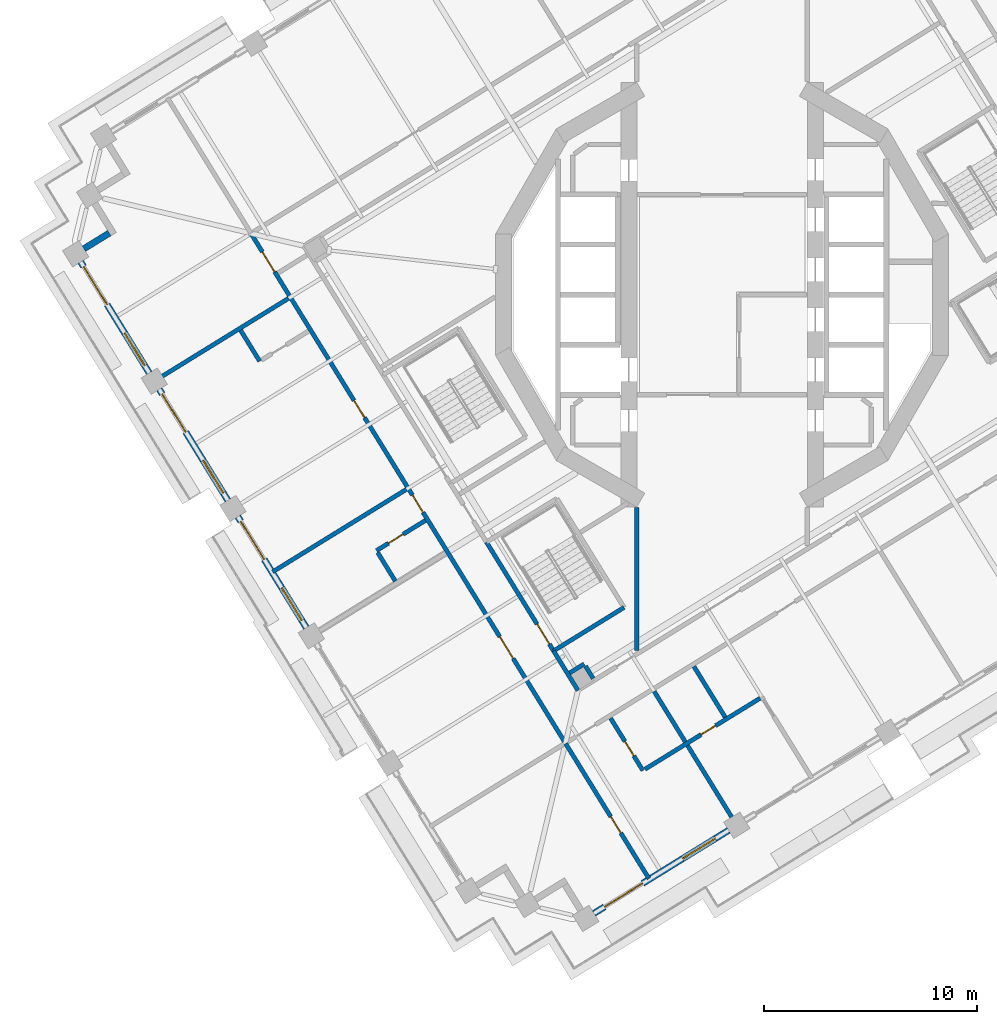
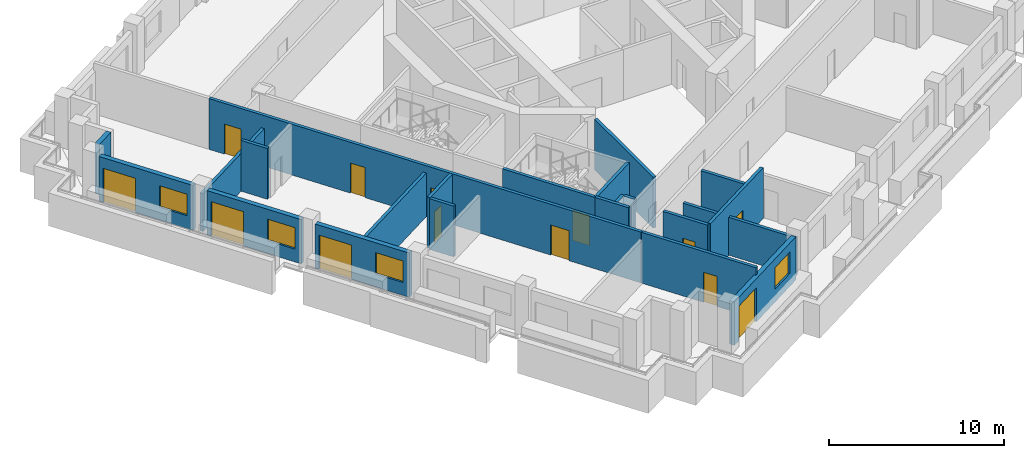
# One storey, part 4 of 20: 22 walls, 13 doors, 4 windows, 17 openings.
"""IFC4 building model written with IfcOpenShell, lengths in metres."""

from ifc_helpers import new_model, si_unit, direction, frame, frame_2d, origin, place, context, subcontext, project, spatial, rectangle, extrude, material, layer, layer_set, type_object, element, fill, save


model = new_model("IFC4")

# Units and contexts
model_context = context("Model", 3, precision=1e-05, world=origin(), true_north=direction((0.0, 1.0)))
body_context = subcontext(model_context, "Body", "Model", "MODEL_VIEW")
ifc_project = project(units=[si_unit("LENGTHUNIT", "METRE"), si_unit("AREAUNIT", "SQUARE_METRE"), si_unit("VOLUMEUNIT", "CUBIC_METRE"), si_unit("PLANEANGLEUNIT", "RADIAN"), si_unit("MASSUNIT", "GRAM", prefix="KILO")], contexts=[model_context])

# Site, building, storey
site_placement = place(None, origin())
site = spatial("IfcSite", under=ifc_project, at=site_placement, CompositionType="ELEMENT")
building_placement = place(site_placement, origin())
building = spatial("IfcBuilding", under=site, at=building_placement, Name="Cantera Rosa Tower", CompositionType="ELEMENT")
storey_placement = place(building_placement, frame((0.0, 0.0, 181.800048828125)))
storey = spatial("IfcBuildingStorey", under=building, at=storey_placement, Name="L40", CompositionType="ELEMENT", Elevation=181.800048828125)

# Wall, openings, doors
ifc_material_1 = material(Name="Gypsum board partition")
ifc_layer_1 = layer(ifc_material_1, 0.199951171875)
ifc_layer_set_1 = layer_set([ifc_layer_1], Name="CORRIDOR WALL 200 H3550")
wall_type_1 = type_object("IfcWallType", Name="CORRIDOR WALL 200 H3550", PredefinedType="PARTITIONING", material=ifc_layer_set_1)
wall_1_placement = place(storey_placement, frame((-22.089599609375, 2.859130859375, 0.0), z_axis=(0.0, 0.0, 1.0), x_axis=(0.524972268191, -0.851119332192, 0.0)))
wall_1 = element("IfcWall", 1, at=wall_1_placement, inside=storey, type_object=wall_type_1, Name="CORRIDOR WALL L40-003", PredefinedType="PARTITIONING", context=body_context, shape_type="SweptSolid", body=[
    extrude(rectangle(XDim=28.080078125, YDim=0.199951171875, at=frame_2d((14.0400390625, 0.0))), origin(), (0.0, 0.0, 1.0), 3.550048828125),
])
opening_1_placement = place(wall_1_placement, frame((22.2099609375, 0.0, 0.0)))
opening_1 = element("IfcOpeningElement", 2, at=opening_1_placement, cuts=wall_1, Name="Opening L40-030", PredefinedType="OPENING", context=body_context, shape_type="SweptSolid", body=[
    extrude(rectangle(XDim=1.199951171875, YDim=2.10009765625, at=frame_2d((0.60009765625, 1.050048828125))), frame((0.0, 0.10986328125, 0.0), z_axis=(0.0, -1.0, 0.0), x_axis=(1.0, 0.0, 0.0)), (0.0, 0.0, 1.0), 0.219970703125),
])
opening_2_placement = place(wall_1_placement, frame((9.18994140625, 0.0, 0.0)))
opening_2 = element("IfcOpeningElement", 3, at=opening_2_placement, cuts=wall_1, Name="Opening L40-031", PredefinedType="OPENING", context=body_context, shape_type="SweptSolid", body=[
    extrude(rectangle(XDim=0.949951171875, YDim=2.10009765625, at=frame_2d((0.47509765625, 1.050048828125))), frame((0.0, 0.10986328125, 0.0), z_axis=(0.0, -1.0, 0.0), x_axis=(1.0, 0.0, 0.0)), (0.0, 0.0, 1.0), 0.219970703125),
])
opening_3_placement = place(wall_1_placement, frame((14.409912109375, 0.0, 0.0)))
opening_3 = element("IfcOpeningElement", 4, at=opening_3_placement, cuts=wall_1, Name="Opening L40-033", PredefinedType="OPENING", context=body_context, shape_type="SweptSolid", body=[
    extrude(rectangle(XDim=0.949951171875, YDim=2.10009765625, at=frame_2d((0.47509765625, 1.050048828125))), frame((0.0, 0.10986328125, 0.0), z_axis=(0.0, -1.0, 0.0), x_axis=(1.0, 0.0, 0.0)), (0.0, 0.0, 1.0), 0.219970703125),
])
opening_4_placement = place(wall_1_placement, frame((0.998046875, 0.0, 0.0)))
opening_4 = element("IfcOpeningElement", 5, at=opening_4_placement, cuts=wall_1, Name="Opening L40-035", PredefinedType="OPENING", context=body_context, shape_type="SweptSolid", body=[
    extrude(rectangle(XDim=1.10009765625, YDim=2.10009765625, at=frame_2d((0.550048828125, 1.050048828125))), frame((0.0, 0.10986328125, 0.0), z_axis=(0.0, -1.0, 0.0), x_axis=(1.0, 0.0, 0.0)), (0.0, 0.0, 1.0), 0.219970703125),
])
ifc_material_2 = material(Name="Timber door leaf", Category="wood")
door_type_1 = type_object("IfcDoorType", Name="ROOM DOOR 1100x2100", OperationType="NOTDEFINED", PredefinedType="DOOR", material=ifc_material_2)
door_1_placement = place(opening_4_placement, origin())
door_1 = element("IfcDoor", 6, at=door_1_placement, inside=storey, type_object=door_type_1, Name="DOOR L40-035", OperationType="NOTDEFINED", OverallHeight=2.10009765625, OverallWidth=1.10009765625, PredefinedType="DOOR", context=body_context, shape_type="SweptSolid", body=[
    extrude(rectangle(XDim=1.10009765625, YDim=2.10009765625, at=frame_2d((0.550048828125, 1.050048828125))), frame((0.0, 0.02490234375, 0.0), z_axis=(0.0, -1.0, 0.0), x_axis=(1.0, 0.0, 0.0)), (0.0, 0.0, 1.0), 0.050048828125),
])
fill(opening_4, door_1)
ifc_material_3 = material(Name="Timber door leaf", Category="wood")
door_type_2 = type_object("IfcDoorType", Name="ROOM DOOR 1200x2100", OperationType="NOTDEFINED", PredefinedType="DOOR", material=ifc_material_3)
door_2_placement = place(opening_1_placement, origin())
door_2 = element("IfcDoor", 7, at=door_2_placement, inside=storey, type_object=door_type_2, Name="DOOR L40-030", OperationType="NOTDEFINED", OverallHeight=2.10009765625, OverallWidth=1.199951171875, PredefinedType="DOOR", context=body_context, shape_type="SweptSolid", body=[
    extrude(rectangle(XDim=1.199951171875, YDim=2.10009765625, at=frame_2d((0.60009765625, 1.050048828125))), frame((0.0, 0.02490234375, 0.0), z_axis=(0.0, -1.0, 0.0), x_axis=(1.0, 0.0, 0.0)), (0.0, 0.0, 1.0), 0.050048828125),
])
fill(opening_1, door_2)
ifc_material_4 = material(Name="Timber door leaf", Category="wood")
door_type_3 = type_object("IfcDoorType", Name="ROOM DOOR 950x2100", OperationType="NOTDEFINED", PredefinedType="DOOR", material=ifc_material_4)
door_3_placement = place(opening_2_placement, origin())
door_3 = element("IfcDoor", 8, at=door_3_placement, inside=storey, type_object=door_type_3, Name="DOOR L40-031", OperationType="NOTDEFINED", OverallHeight=2.10009765625, OverallWidth=0.949951171875, PredefinedType="DOOR", context=body_context, shape_type="SweptSolid", body=[
    extrude(rectangle(XDim=0.949951171875, YDim=2.10009765625, at=frame_2d((0.47509765625, 1.050048828125))), frame((0.0, 0.02490234375, 0.0), z_axis=(0.0, -1.0, 0.0), x_axis=(1.0, 0.0, 0.0)), (0.0, 0.0, 1.0), 0.050048828125),
])
fill(opening_2, door_3)
door_4_placement = place(opening_3_placement, origin())
door_4 = element("IfcDoor", 9, at=door_4_placement, inside=storey, type_object=door_type_3, Name="DOOR L40-033", OperationType="NOTDEFINED", OverallHeight=2.10009765625, OverallWidth=0.949951171875, PredefinedType="DOOR", context=body_context, shape_type="SweptSolid", body=[
    extrude(rectangle(XDim=0.949951171875, YDim=2.10009765625, at=frame_2d((0.47509765625, 1.050048828125))), frame((0.0, 0.02490234375, 0.0), z_axis=(0.0, -1.0, 0.0), x_axis=(1.0, 0.0, 0.0)), (0.0, 0.0, 1.0), 0.050048828125),
])
fill(opening_3, door_4)

# Walls
wall_2_placement = place(storey_placement, frame((-7.9033203125, -16.7119140625, 0.0), z_axis=(0.0, 0.0, 1.0), x_axis=(0.525036414636, -0.851079763187, 0.0)))
element("IfcWall", 10, at=wall_2_placement, inside=storey, type_object=wall_type_1, Name="CORRIDOR WALL L40-023", PredefinedType="PARTITIONING", context=body_context, shape_type="SweptSolid", body=[
    extrude(rectangle(XDim=2.17529296875, YDim=0.199951171875, at=frame_2d((1.087646484375, 0.0))), origin(), (0.0, 0.0, 1.0), 3.550048828125),
])
wall_3_placement = place(storey_placement, frame((-4.0, -9.994140625, 0.0), z_axis=(0.0, 0.0, 1.0), x_axis=(0.0, -1.0, 0.0)))
element("IfcWall", 11, at=wall_3_placement, inside=storey, type_object=wall_type_1, Name="CORRIDOR WALL L40-048", PredefinedType="PARTITIONING", context=body_context, shape_type="SweptSolid", body=[
    extrude(rectangle(XDim=6.7060546875, YDim=0.199951171875, at=frame_2d((3.35302734375, 0.0))), origin(), (0.0, 0.0, 1.0), 3.550048828125),
])
ifc_material_5 = material(Name="Hollow clay masonry with cantera stone cladding", Category="masonry")
ifc_layer_2 = layer(ifc_material_5, 0.300048828125)
ifc_layer_set_2 = layer_set([ifc_layer_2], Name="EW-LOGGIA 300")
wall_type_2 = type_object("IfcWallType", Name="EW-LOGGIA 300", PredefinedType="SOLIDWALL", material=ifc_layer_set_2)
wall_4_placement = place(storey_placement, frame((-28.74658203125, 2.888916015625, 0.0), z_axis=(0.0, 0.0, 1.0), x_axis=(-0.851040987269, -0.525099264891, 0.0)))
element("IfcWall", 12, at=wall_4_placement, inside=storey, type_object=wall_type_2, Name="EN-L40-W14b", PredefinedType="SOLIDWALL", context=body_context, shape_type="SweptSolid", body=[
    extrude(rectangle(XDim=1.39990234375, YDim=0.300048828125, at=frame_2d((0.699951171875, 0.0))), origin(), (0.0, 0.0, 1.0), 3.5),
])

# Wall, openings, window, door
ifc_material_6 = material(Name="Hollow clay masonry with cantera stone cladding", Category="masonry")
ifc_layer_3 = layer(ifc_material_6, 0.300048828125)
ifc_layer_set_3 = layer_set([ifc_layer_3], Name="EW-LOGGIA 300 H3020")
wall_type_3 = type_object("IfcWallType", Name="EW-LOGGIA 300 H3020", PredefinedType="SOLIDWALL", material=ifc_layer_set_3)
wall_5_placement = place(storey_placement, frame((-6.007080078125, -29.02490234375, 0.0), z_axis=(0.0, 0.0, 1.0), x_axis=(0.851111085575, 0.524985637909, 0.0)))
wall_5 = element("IfcWall", 13, at=wall_5_placement, inside=storey, type_object=wall_type_3, Name="EN-L40-W22", PredefinedType="SOLIDWALL", context=body_context, shape_type="SweptSolid", body=[
    extrude(rectangle(XDim=7.420166015625, YDim=0.300048828125, at=frame_2d((3.7099609375, 0.0))), origin(), (0.0, 0.0, 1.0), 3.02001953125),
])
opening_5_placement = place(wall_5_placement, frame((0.580078125, 0.0, 0.0)))
opening_5 = element("IfcOpeningElement", 14, at=opening_5_placement, cuts=wall_5, Name="Opening L40-TD27", PredefinedType="OPENING", context=body_context, shape_type="SweptSolid", body=[
    extrude(rectangle(XDim=2.10009765625, YDim=2.39990234375, at=frame_2d((1.050048828125, 1.199951171875))), frame((0.0, 0.159912109375, 0.0), z_axis=(0.0, -1.0, 0.0), x_axis=(1.0, 0.0, 0.0)), (0.0, 0.0, 1.0), 0.320068359375),
])
opening_6_placement = place(wall_5_placement, frame((4.889892578125, 0.0, 0.89990234375)))
opening_6 = element("IfcOpeningElement", 15, at=opening_6_placement, cuts=wall_5, Name="Opening L40-W28", PredefinedType="OPENING", context=body_context, shape_type="SweptSolid", body=[
    extrude(rectangle(XDim=1.800048828125, YDim=1.5, at=frame_2d((0.89990234375, 0.75))), frame((0.0, 0.159912109375, 0.0), z_axis=(0.0, -1.0, 0.0), x_axis=(1.0, 0.0, 0.0)), (0.0, 0.0, 1.0), 0.320068359375),
])
ifc_material_7 = material(Name="Aluminium frame with clear glass", Category="aluminium")
window_type = type_object("IfcWindowType", Name="Hotel room window 1800x1500", PartitioningType="DOUBLE_PANEL_VERTICAL", PredefinedType="WINDOW", material=ifc_material_7)
window_1_placement = place(opening_6_placement, origin())
window_1 = element("IfcWindow", 16, at=window_1_placement, inside=storey, type_object=window_type, Name="WINDOW L40-W28", OverallHeight=1.5, OverallWidth=1.800048828125, PartitioningType="SINGLE_PANEL", PredefinedType="WINDOW", context=body_context, shape_type="SweptSolid", body=[
    extrude(rectangle(XDim=1.800048828125, YDim=1.5, at=frame_2d((0.89990234375, 0.75))), frame((0.0, 0.030029296875, 0.0), z_axis=(0.0, -1.0, 0.0), x_axis=(1.0, 0.0, 0.0)), (0.0, 0.0, 1.0), 0.06005859375),
])
fill(opening_6, window_1)
ifc_material_8 = material(Name="Aluminium frame with clear glass", Category="aluminium")
door_type_4 = type_object("IfcDoorType", Name="TD-H 2100x2400", OperationType="NOTDEFINED", PredefinedType="DOOR", material=ifc_material_8)
door_5_placement = place(opening_5_placement, origin())
door_5 = element("IfcDoor", 17, at=door_5_placement, inside=storey, type_object=door_type_4, Name="LOGGIA DOOR L40-TD27", OperationType="SLIDING_TO_LEFT", OverallHeight=2.39990234375, OverallWidth=2.10009765625, PredefinedType="DOOR", context=body_context, shape_type="SweptSolid", body=[
    extrude(rectangle(XDim=2.10009765625, YDim=2.39990234375, at=frame_2d((1.050048828125, 1.199951171875))), frame((0.0, 0.02490234375, 0.0), z_axis=(0.0, -1.0, 0.0), x_axis=(1.0, 0.0, 0.0)), (0.0, 0.0, 1.0), 0.050048828125),
])
fill(opening_5, door_5)

ifc_material_9 = material(Name="Hollow clay masonry with cantera stone cladding", Category="masonry")
ifc_layer_4 = layer(ifc_material_9, 0.300048828125)
ifc_layer_set_4 = layer_set([ifc_layer_4], Name="EW-LOGGIA 300 H3090")
wall_type_4 = type_object("IfcWallType", Name="EW-LOGGIA 300 H3090", PredefinedType="SOLIDWALL", material=ifc_layer_set_4)
wall_6_placement = place(storey_placement, frame((-26.3994140625, -4.440185546875, 0.0), z_axis=(0.0, 0.0, 1.0), x_axis=(0.524987447654, -0.851109969279, 0.0)))
wall_6 = element("IfcWall", 18, at=wall_6_placement, inside=storey, type_object=wall_type_4, Name="EN-L40-W16", PredefinedType="SOLIDWALL", context=body_context, shape_type="SweptSolid", body=[
    extrude(rectangle(XDim=6.119873046875, YDim=0.300048828125, at=frame_2d((3.06005859375, 0.0))), origin(), (0.0, 0.0, 1.0), 3.08984375),
])
opening_7_placement = place(wall_6_placement, frame((0.2548828125, 0.0, 0.0)))
opening_7 = element("IfcOpeningElement", 19, at=opening_7_placement, cuts=wall_6, Name="Opening L40-TD19", PredefinedType="OPENING", context=body_context, shape_type="SweptSolid", body=[
    extrude(rectangle(XDim=2.10009765625, YDim=2.39990234375, at=frame_2d((1.050048828125, 1.199951171875))), frame((0.0, 0.159912109375, 0.0), z_axis=(0.0, -1.0, 0.0), x_axis=(1.0, 0.0, 0.0)), (0.0, 0.0, 1.0), 0.320068359375),
])
opening_8_placement = place(wall_6_placement, frame((3.9150390625, 0.0, 0.89990234375)))
opening_8 = element("IfcOpeningElement", 20, at=opening_8_placement, cuts=wall_6, Name="Opening L40-W20", PredefinedType="OPENING", context=body_context, shape_type="SweptSolid", body=[
    extrude(rectangle(XDim=1.800048828125, YDim=1.5, at=frame_2d((0.89990234375, 0.75))), frame((0.0, 0.159912109375, 0.0), z_axis=(0.0, -1.0, 0.0), x_axis=(1.0, 0.0, 0.0)), (0.0, 0.0, 1.0), 0.320068359375),
])
window_2_placement = place(opening_8_placement, origin())
window_2 = element("IfcWindow", 21, at=window_2_placement, inside=storey, type_object=window_type, Name="WINDOW L40-W20", OverallHeight=1.5, OverallWidth=1.800048828125, PartitioningType="SINGLE_PANEL", PredefinedType="WINDOW", context=body_context, shape_type="SweptSolid", body=[
    extrude(rectangle(XDim=1.800048828125, YDim=1.5, at=frame_2d((0.89990234375, 0.75))), frame((0.0, 0.030029296875, 0.0), z_axis=(0.0, -1.0, 0.0), x_axis=(1.0, 0.0, 0.0)), (0.0, 0.0, 1.0), 0.06005859375),
])
fill(opening_8, window_2)
door_6_placement = place(opening_7_placement, origin())
door_6 = element("IfcDoor", 22, at=door_6_placement, inside=storey, type_object=door_type_4, Name="LOGGIA DOOR L40-TD19", OperationType="SLIDING_TO_LEFT", OverallHeight=2.39990234375, OverallWidth=2.10009765625, PredefinedType="DOOR", context=body_context, shape_type="SweptSolid", body=[
    extrude(rectangle(XDim=2.10009765625, YDim=2.39990234375, at=frame_2d((1.050048828125, 1.199951171875))), frame((0.0, 0.02490234375, 0.0), z_axis=(0.0, -1.0, 0.0), x_axis=(1.0, 0.0, 0.0)), (0.0, 0.0, 1.0), 0.050048828125),
])
fill(opening_7, door_6)

wall_7_placement = place(storey_placement, frame((-22.714111328125, -10.4150390625, 0.0), z_axis=(0.0, 0.0, 1.0), x_axis=(0.524987447654, -0.851109969279, 0.0)))
wall_7 = element("IfcWall", 23, at=wall_7_placement, inside=storey, type_object=wall_type_4, Name="EN-L40-W17", PredefinedType="SOLIDWALL", context=body_context, shape_type="SweptSolid", body=[
    extrude(rectangle(XDim=6.119873046875, YDim=0.300048828125, at=frame_2d((3.06005859375, 0.0))), origin(), (0.0, 0.0, 1.0), 3.08984375),
])
opening_9_placement = place(wall_7_placement, frame((0.2548828125, 0.0, 0.0)))
opening_9 = element("IfcOpeningElement", 24, at=opening_9_placement, cuts=wall_7, Name="Opening L40-TD21", PredefinedType="OPENING", context=body_context, shape_type="SweptSolid", body=[
    extrude(rectangle(XDim=2.10009765625, YDim=2.39990234375, at=frame_2d((1.050048828125, 1.199951171875))), frame((0.0, 0.159912109375, 0.0), z_axis=(0.0, -1.0, 0.0), x_axis=(1.0, 0.0, 0.0)), (0.0, 0.0, 1.0), 0.320068359375),
])
opening_10_placement = place(wall_7_placement, frame((3.9150390625, 0.0, 0.89990234375)))
opening_10 = element("IfcOpeningElement", 25, at=opening_10_placement, cuts=wall_7, Name="Opening L40-W22", PredefinedType="OPENING", context=body_context, shape_type="SweptSolid", body=[
    extrude(rectangle(XDim=1.800048828125, YDim=1.5, at=frame_2d((0.89990234375, 0.75))), frame((0.0, 0.159912109375, 0.0), z_axis=(0.0, -1.0, 0.0), x_axis=(1.0, 0.0, 0.0)), (0.0, 0.0, 1.0), 0.320068359375),
])
window_3_placement = place(opening_10_placement, origin())
window_3 = element("IfcWindow", 26, at=window_3_placement, inside=storey, type_object=window_type, Name="WINDOW L40-W22", OverallHeight=1.5, OverallWidth=1.800048828125, PartitioningType="SINGLE_PANEL", PredefinedType="WINDOW", context=body_context, shape_type="SweptSolid", body=[
    extrude(rectangle(XDim=1.800048828125, YDim=1.5, at=frame_2d((0.89990234375, 0.75))), frame((0.0, 0.030029296875, 0.0), z_axis=(0.0, -1.0, 0.0), x_axis=(1.0, 0.0, 0.0)), (0.0, 0.0, 1.0), 0.06005859375),
])
fill(opening_10, window_3)
door_7_placement = place(opening_9_placement, origin())
door_7 = element("IfcDoor", 27, at=door_7_placement, inside=storey, type_object=door_type_4, Name="LOGGIA DOOR L40-TD21", OperationType="SLIDING_TO_LEFT", OverallHeight=2.39990234375, OverallWidth=2.10009765625, PredefinedType="DOOR", context=body_context, shape_type="SweptSolid", body=[
    extrude(rectangle(XDim=2.10009765625, YDim=2.39990234375, at=frame_2d((1.050048828125, 1.199951171875))), frame((0.0, 0.02490234375, 0.0), z_axis=(0.0, -1.0, 0.0), x_axis=(1.0, 0.0, 0.0)), (0.0, 0.0, 1.0), 0.050048828125),
])
fill(opening_9, door_7)

ifc_material_10 = material(Name="Hollow clay masonry with cantera stone cladding", Category="masonry")
ifc_layer_5 = layer(ifc_material_10, 0.300048828125)
ifc_layer_set_5 = layer_set([ifc_layer_5], Name="EW-LOGGIA 300 H3140")
wall_type_5 = type_object("IfcWallType", Name="EW-LOGGIA 300 H3140", PredefinedType="SOLIDWALL", material=ifc_layer_set_5)
wall_8_placement = place(storey_placement, frame((-30.084716796875, 1.53466796875, 0.0), z_axis=(0.0, 0.0, 1.0), x_axis=(0.524987447654, -0.851109969279, 0.0)))
wall_8 = element("IfcWall", 28, at=wall_8_placement, inside=storey, type_object=wall_type_5, Name="EN-L40-W15", PredefinedType="SOLIDWALL", context=body_context, shape_type="SweptSolid", body=[
    extrude(rectangle(XDim=6.119873046875, YDim=0.300048828125, at=frame_2d((3.06005859375, 0.0))), origin(), (0.0, 0.0, 1.0), 3.139892578125),
])
opening_11_placement = place(wall_8_placement, frame((0.2548828125, 0.0, 0.0)))
opening_11 = element("IfcOpeningElement", 29, at=opening_11_placement, cuts=wall_8, Name="Opening L40-TD17", PredefinedType="OPENING", context=body_context, shape_type="SweptSolid", body=[
    extrude(rectangle(XDim=2.10009765625, YDim=2.39990234375, at=frame_2d((1.050048828125, 1.199951171875))), frame((0.0, 0.159912109375, 0.0), z_axis=(0.0, -1.0, 0.0), x_axis=(1.0, 0.0, 0.0)), (0.0, 0.0, 1.0), 0.320068359375),
])
opening_12_placement = place(wall_8_placement, frame((3.9150390625, 0.0, 0.89990234375)))
opening_12 = element("IfcOpeningElement", 30, at=opening_12_placement, cuts=wall_8, Name="Opening L40-W18", PredefinedType="OPENING", context=body_context, shape_type="SweptSolid", body=[
    extrude(rectangle(XDim=1.800048828125, YDim=1.5, at=frame_2d((0.89990234375, 0.75))), frame((0.0, 0.159912109375, 0.0), z_axis=(0.0, -1.0, 0.0), x_axis=(1.0, 0.0, 0.0)), (0.0, 0.0, 1.0), 0.320068359375),
])
window_4_placement = place(opening_12_placement, origin())
window_4 = element("IfcWindow", 31, at=window_4_placement, inside=storey, type_object=window_type, Name="WINDOW L40-W18", OverallHeight=1.5, OverallWidth=1.800048828125, PartitioningType="SINGLE_PANEL", PredefinedType="WINDOW", context=body_context, shape_type="SweptSolid", body=[
    extrude(rectangle(XDim=1.800048828125, YDim=1.5, at=frame_2d((0.89990234375, 0.75))), frame((0.0, 0.030029296875, 0.0), z_axis=(0.0, -1.0, 0.0), x_axis=(1.0, 0.0, 0.0)), (0.0, 0.0, 1.0), 0.06005859375),
])
fill(opening_12, window_4)
door_8_placement = place(opening_11_placement, origin())
door_8 = element("IfcDoor", 32, at=door_8_placement, inside=storey, type_object=door_type_4, Name="LOGGIA DOOR L40-TD17", OperationType="SLIDING_TO_LEFT", OverallHeight=2.39990234375, OverallWidth=2.10009765625, PredefinedType="DOOR", context=body_context, shape_type="SweptSolid", body=[
    extrude(rectangle(XDim=2.10009765625, YDim=2.39990234375, at=frame_2d((1.050048828125, 1.199951171875))), frame((0.0, 0.02490234375, 0.0), z_axis=(0.0, -1.0, 0.0), x_axis=(1.0, 0.0, 0.0)), (0.0, 0.0, 1.0), 0.050048828125),
])
fill(opening_11, door_8)

# Wall
ifc_material_11 = material(Name="Gypsum board partition")
ifc_layer_6 = layer(ifc_material_11, 0.199951171875)
ifc_layer_set_6 = layer_set([ifc_layer_6], Name="PARTITION 200 H3550")
wall_type_6 = type_object("IfcWallType", Name="PARTITION 200 H3550", PredefinedType="PARTITIONING", material=ifc_layer_set_6)
wall_9_placement = place(storey_placement, frame((-21.6904296875, -3.121826171875, 0.0), z_axis=(0.0, 0.0, 1.0), x_axis=(-0.524994468487, 0.851105638601, 0.0)))
element("IfcWall", 33, at=wall_9_placement, inside=storey, type_object=wall_type_6, Name="PARTITION L40-004", PredefinedType="PARTITIONING", context=body_context, shape_type="SweptSolid", body=[
    extrude(rectangle(XDim=1.7001953125, YDim=0.199951171875, at=frame_2d((0.85009765625, 0.0))), origin(), (0.0, 0.0, 1.0), 3.550048828125),
])

# Wall, opening, door
wall_10_placement = place(storey_placement, frame((-16.209716796875, -12.00732421875, 0.0), z_axis=(0.0, 0.0, 1.0), x_axis=(0.851158076586, 0.524909448059, 0.0)))
wall_10 = element("IfcWall", 34, at=wall_10_placement, inside=storey, type_object=wall_type_6, Name="PARTITION L40-010", PredefinedType="PARTITIONING", context=body_context, shape_type="SweptSolid", body=[
    extrude(rectangle(XDim=2.699951171875, YDim=0.199951171875, at=frame_2d((1.35009765625, 0.0))), origin(), (0.0, 0.0, 1.0), 3.550048828125),
])
opening_13_placement = place(wall_10_placement, frame((0.6640625, 0.0, 0.0)))
opening_13 = element("IfcOpeningElement", 35, at=opening_13_placement, cuts=wall_10, Name="Opening L40-034", PredefinedType="OPENING", context=body_context, shape_type="SweptSolid", body=[
    extrude(rectangle(XDim=0.800048828125, YDim=2.10009765625, at=frame_2d((0.39990234375, 1.050048828125))), frame((0.0, 0.10986328125, 0.0), z_axis=(0.0, -1.0, 0.0), x_axis=(1.0, 0.0, 0.0)), (0.0, 0.0, 1.0), 0.219970703125),
])
ifc_material_12 = material(Name="Timber door leaf", Category="wood")
door_type_5 = type_object("IfcDoorType", Name="BATHROOM DOOR 800x2100", OperationType="NOTDEFINED", PredefinedType="DOOR", material=ifc_material_12)
door_9_placement = place(opening_13_placement, origin())
door_9 = element("IfcDoor", 36, at=door_9_placement, inside=storey, type_object=door_type_5, Name="DOOR L40-034", OperationType="NOTDEFINED", OverallHeight=2.10009765625, OverallWidth=0.800048828125, PredefinedType="DOOR", context=body_context, shape_type="SweptSolid", body=[
    extrude(rectangle(XDim=0.800048828125, YDim=2.10009765625, at=frame_2d((0.39990234375, 1.050048828125))), frame((0.0, 0.02490234375, 0.0), z_axis=(0.0, -1.0, 0.0), x_axis=(1.0, 0.0, 0.0)), (0.0, 0.0, 1.0), 0.050048828125),
])
fill(opening_13, door_9)

# Wall
wall_11_placement = place(storey_placement, frame((-15.327880859375, -13.437255859375, 0.0), z_axis=(0.0, 0.0, 1.0), x_axis=(-0.52493348414, 0.851143253059, 0.0)))
element("IfcWall", 37, at=wall_11_placement, inside=storey, type_object=wall_type_6, Name="PARTITION L40-013", PredefinedType="PARTITIONING", context=body_context, shape_type="SweptSolid", body=[
    extrude(rectangle(XDim=1.579833984375, YDim=0.199951171875, at=frame_2d((0.7900390625, 0.0))), origin(), (0.0, 0.0, 1.0), 3.550048828125),
])

# Wall, opening, door
wall_12_placement = place(storey_placement, frame((-7.337890625, -21.057373046875, 0.0), z_axis=(0.0, 0.0, 1.0), x_axis=(0.524982084645, -0.851113277303, 0.0)))
wall_12 = element("IfcWall", 38, at=wall_12_placement, inside=storey, type_object=wall_type_6, Name="PARTITION L40-032", PredefinedType="PARTITIONING", context=body_context, shape_type="SweptSolid", body=[
    extrude(rectangle(XDim=7.449951171875, YDim=0.199951171875, at=frame_2d((3.72509765625, 0.0))), origin(), (0.0, 0.0, 1.0), 3.550048828125),
])
opening_14_placement = place(wall_12_placement, frame((4.030029296875, 0.0, 0.0)))
opening_14 = element("IfcOpeningElement", 39, at=opening_14_placement, cuts=wall_12, Name="Opening L40-045", PredefinedType="OPENING", context=body_context, shape_type="SweptSolid", body=[
    extrude(rectangle(XDim=0.89990234375, YDim=2.10009765625, at=frame_2d((0.449951171875, 1.050048828125))), frame((0.0, 0.10986328125, 0.0), z_axis=(0.0, -1.0, 0.0), x_axis=(1.0, 0.0, 0.0)), (0.0, 0.0, 1.0), 0.219970703125),
])
ifc_material_13 = material(Name="Timber door leaf", Category="wood")
door_type_6 = type_object("IfcDoorType", Name="ROOM DOOR 900x2100", OperationType="NOTDEFINED", PredefinedType="DOOR", material=ifc_material_13)
door_10_placement = place(opening_14_placement, origin())
door_10 = element("IfcDoor", 40, at=door_10_placement, inside=storey, type_object=door_type_6, Name="DOOR L40-045", OperationType="NOTDEFINED", OverallHeight=2.10009765625, OverallWidth=0.89990234375, PredefinedType="DOOR", context=body_context, shape_type="SweptSolid", body=[
    extrude(rectangle(XDim=0.89990234375, YDim=2.10009765625, at=frame_2d((0.449951171875, 1.050048828125))), frame((0.0, 0.02490234375, 0.0), z_axis=(0.0, -1.0, 0.0), x_axis=(1.0, 0.0, 0.0)), (0.0, 0.0, 1.0), 0.050048828125),
])
fill(opening_14, door_10)

# Walls
wall_13_placement = place(storey_placement, frame((-6.4677734375, -17.32470703125, 0.0), z_axis=(0.0, 0.0, 1.0), x_axis=(-0.85101860469, -0.525135539144, 0.0)))
element("IfcWall", 41, at=wall_13_placement, inside=storey, type_object=wall_type_6, Name="PARTITION L40-039", PredefinedType="PARTITIONING", context=body_context, shape_type="SweptSolid", body=[
    extrude(rectangle(XDim=0.800048828125, YDim=0.199951171875, at=frame_2d((0.39990234375, 0.0))), origin(), (0.0, 0.0, 1.0), 3.550048828125),
])
wall_14_placement = place(storey_placement, frame((-6.0478515625, -18.005615234375, 0.0), z_axis=(0.0, 0.0, 1.0), x_axis=(-0.525018782991, 0.851090640006, 0.0)))
element("IfcWall", 42, at=wall_14_placement, inside=storey, type_object=wall_type_6, Name="PARTITION L40-041", PredefinedType="PARTITIONING", context=body_context, shape_type="SweptSolid", body=[
    extrude(rectangle(XDim=0.679931640625, YDim=0.199951171875, at=frame_2d((0.33984375, 0.0))), origin(), (0.0, 0.0, 1.0), 3.550048828125),
])

# Wall, opening, door
wall_15_placement = place(storey_placement, frame((-3.7138671875, -22.3232421875, 0.0), z_axis=(0.0, 0.0, 1.0), x_axis=(-0.524929648476, 0.851145618652, 0.0)))
wall_15 = element("IfcWall", 43, at=wall_15_placement, inside=storey, type_object=wall_type_6, Name="PARTITION L40-051", PredefinedType="PARTITIONING", context=body_context, shape_type="SweptSolid", body=[
    extrude(rectangle(XDim=2.8798828125, YDim=0.199951171875, at=frame_2d((1.43994140625, 0.0))), origin(), (0.0, 0.0, 1.0), 3.550048828125),
])
opening_15_placement = place(wall_15_placement, frame((0.800048828125, 0.0, 0.0)))
opening_15 = element("IfcOpeningElement", 44, at=opening_15_placement, cuts=wall_15, Name="Opening L40-044", PredefinedType="OPENING", context=body_context, shape_type="SweptSolid", body=[
    extrude(rectangle(XDim=0.800048828125, YDim=2.10009765625, at=frame_2d((0.39990234375, 1.050048828125))), frame((0.0, 0.10986328125, 0.0), z_axis=(0.0, -1.0, 0.0), x_axis=(1.0, 0.0, 0.0)), (0.0, 0.0, 1.0), 0.219970703125),
])
door_11_placement = place(opening_15_placement, origin())
door_11 = element("IfcDoor", 45, at=door_11_placement, inside=storey, type_object=door_type_5, Name="DOOR L40-044", OperationType="NOTDEFINED", OverallHeight=2.10009765625, OverallWidth=0.800048828125, PredefinedType="DOOR", context=body_context, shape_type="SweptSolid", body=[
    extrude(rectangle(XDim=0.800048828125, YDim=2.10009765625, at=frame_2d((0.39990234375, 1.050048828125))), frame((0.0, 0.02490234375, 0.0), z_axis=(0.0, -1.0, 0.0), x_axis=(1.0, 0.0, 0.0)), (0.0, 0.0, 1.0), 0.050048828125),
])
fill(opening_15, door_11)

wall_16_placement = place(storey_placement, frame((-3.611572265625, -22.26025390625, 0.0), z_axis=(0.0, 0.0, 1.0), x_axis=(0.851111795965, 0.524984486218, 0.0)))
wall_16 = element("IfcWall", 46, at=wall_16_placement, inside=storey, type_object=wall_type_6, Name="PARTITION L40-052", PredefinedType="PARTITIONING", context=body_context, shape_type="SweptSolid", body=[
    extrude(rectangle(XDim=6.33984375, YDim=0.199951171875, at=frame_2d((3.169921875, 0.0))), origin(), (0.0, 0.0, 1.0), 3.550048828125),
])
opening_16_placement = place(wall_16_placement, frame((3.090087890625, 0.0, 0.0)))
opening_16 = element("IfcOpeningElement", 47, at=opening_16_placement, cuts=wall_16, Name="Opening L40-038", PredefinedType="OPENING", context=body_context, shape_type="SweptSolid", body=[
    extrude(rectangle(XDim=0.800048828125, YDim=2.10009765625, at=frame_2d((0.39990234375, 1.050048828125))), frame((0.0, 0.10986328125, 0.0), z_axis=(0.0, -1.0, 0.0), x_axis=(1.0, 0.0, 0.0)), (0.0, 0.0, 1.0), 0.219970703125),
])
door_12_placement = place(opening_16_placement, origin())
door_12 = element("IfcDoor", 48, at=door_12_placement, inside=storey, type_object=door_type_5, Name="DOOR L40-038", OperationType="NOTDEFINED", OverallHeight=2.10009765625, OverallWidth=0.800048828125, PredefinedType="DOOR", context=body_context, shape_type="SweptSolid", body=[
    extrude(rectangle(XDim=0.800048828125, YDim=2.10009765625, at=frame_2d((0.39990234375, 1.050048828125))), frame((0.0, 0.02490234375, 0.0), z_axis=(0.0, -1.0, 0.0), x_axis=(1.0, 0.0, 0.0)), (0.0, 0.0, 1.0), 0.050048828125),
])
fill(opening_16, door_12)

# Walls
wall_17_placement = place(storey_placement, frame((-1.321044921875, -17.440185546875, 0.0), z_axis=(0.0, 0.0, 1.0), x_axis=(0.524997143301, -0.851103988667, 0.0)))
element("IfcWall", 49, at=wall_17_placement, inside=storey, type_object=wall_type_6, Name="PARTITION L40-053", PredefinedType="PARTITIONING", context=body_context, shape_type="SweptSolid", body=[
    extrude(rectangle(XDim=2.800048828125, YDim=0.199951171875, at=frame_2d((1.39990234375, 0.0))), origin(), (0.0, 0.0, 1.0), 3.550048828125),
])
ifc_material_14 = material(Name="Gypsum board partition")
ifc_layer_7 = layer(ifc_material_14, 0.199951171875)
ifc_layer_set_7 = layer_set([ifc_layer_7], Name="PARTY WALL 200 H2650")
wall_type_7 = type_object("IfcWallType", Name="PARTY WALL 200 H2650", PredefinedType="PARTITIONING", material=ifc_layer_set_7)
wall_18_placement = place(storey_placement, frame((-26.610107421875, -4.04150390625, 0.0), z_axis=(0.0, 0.0, 1.0), x_axis=(0.851111911821, 0.52498429839, 0.0)))
element("IfcWall", 50, at=wall_18_placement, inside=storey, type_object=wall_type_7, Name="PARTY WALL L40-001", PredefinedType="PARTITIONING", context=body_context, shape_type="SweptSolid", body=[
    extrude(rectangle(XDim=7.3701171875, YDim=0.199951171875, at=frame_2d((3.68505859375, 0.0))), origin(), (0.0, 0.0, 1.0), 2.64990234375),
])
wall_19_placement = place(storey_placement, frame((0.675537109375, -24.86767578125, 0.0), z_axis=(0.0, 0.0, 1.0), x_axis=(-0.52498856982, 0.851109277096, 0.0)))
element("IfcWall", 51, at=wall_19_placement, inside=storey, type_object=wall_type_7, Name="PARTY WALL L40-056", PredefinedType="PARTITIONING", context=body_context, shape_type="SweptSolid", body=[
    extrude(rectangle(XDim=7.349853515625, YDim=0.199951171875, at=frame_2d((3.6748046875, 0.0))), origin(), (0.0, 0.0, 1.0), 2.64990234375),
])
ifc_material_15 = material(Name="Gypsum board partition")
ifc_layer_8 = layer(ifc_material_15, 0.199951171875)
ifc_layer_set_8 = layer_set([ifc_layer_8], Name="PARTY WALL 200 H3050")
wall_type_8 = type_object("IfcWallType", Name="PARTY WALL 200 H3050", PredefinedType="PARTITIONING", material=ifc_layer_set_8)
wall_20_placement = place(storey_placement, frame((-14.809326171875, -9.134521484375, 0.0), z_axis=(0.0, 0.0, 1.0), x_axis=(-0.851121041303, -0.524969497259, 0.0)))
element("IfcWall", 52, at=wall_20_placement, inside=storey, type_object=wall_type_8, Name="PARTY WALL L40-014", PredefinedType="PARTITIONING", context=body_context, shape_type="SweptSolid", body=[
    extrude(rectangle(XDim=7.3701171875, YDim=0.199951171875, at=frame_2d((3.68505859375, 0.0))), origin(), (0.0, 0.0, 1.0), 3.050048828125),
])

# Wall, opening, door
ifc_material_16 = material(Name="Concrete C50/60", Category="concrete")
ifc_layer_9 = layer(ifc_material_16, 0.199951171875)
ifc_layer_set_9 = layer_set([ifc_layer_9], Name="STAIR WALL 200 H3550")
wall_type_9 = type_object("IfcWallType", Name="STAIR WALL 200 H3550", PredefinedType="SOLIDWALL", material=ifc_layer_set_9)
wall_21_placement = place(storey_placement, frame((-11.05322265625, -11.605224609375, 0.0), z_axis=(0.0, 0.0, 1.0), x_axis=(0.524982543144, -0.851112994493, 0.0)))
wall_21 = element("IfcWall", 53, at=wall_21_placement, inside=storey, type_object=wall_type_9, Name="STAIR WALL L40-020", PredefinedType="SOLIDWALL", context=body_context, shape_type="SweptSolid", body=[
    extrude(rectangle(XDim=6.0, YDim=0.199951171875, at=frame_2d((3.0, 0.0))), origin(), (0.0, 0.0, 1.0), 3.550048828125),
])
opening_17_placement = place(wall_21_placement, frame((4.52490234375, 0.0, 0.0)))
opening_17 = element("IfcOpeningElement", 54, at=opening_17_placement, cuts=wall_21, Name="Opening L40-003", PredefinedType="OPENING", context=body_context, shape_type="SweptSolid", body=[
    extrude(rectangle(XDim=1.10009765625, YDim=2.10009765625, at=frame_2d((0.550048828125, 1.050048828125))), frame((0.0, 0.10986328125, 0.0), z_axis=(0.0, -1.0, 0.0), x_axis=(1.0, 0.0, 0.0)), (0.0, 0.0, 1.0), 0.219970703125),
])
ifc_material_17 = material(Name="Steel S355J2 (EN 10025-2)", Category="steel")
door_type_7 = type_object("IfcDoorType", Name="STAIR DOOR 1100x2100", OperationType="NOTDEFINED", PredefinedType="DOOR", material=ifc_material_17)
door_13_placement = place(opening_17_placement, origin())
door_13 = element("IfcDoor", 55, at=door_13_placement, inside=storey, type_object=door_type_7, Name="DOOR L40-003", OperationType="NOTDEFINED", OverallHeight=2.10009765625, OverallWidth=1.10009765625, PredefinedType="DOOR", context=body_context, shape_type="SweptSolid", body=[
    extrude(rectangle(XDim=1.10009765625, YDim=2.10009765625, at=frame_2d((0.550048828125, 1.050048828125))), frame((0.0, 0.02490234375, 0.0), z_axis=(0.0, -1.0, 0.0), x_axis=(1.0, 0.0, 0.0)), (0.0, 0.0, 1.0), 0.050048828125),
])
fill(opening_17, door_13)

# Wall
wall_22_placement = place(storey_placement, frame((-7.9033203125, -16.7119140625, 0.0), z_axis=(0.0, 0.0, 1.0), x_axis=(0.851124503894, 0.524963883397, 0.0)))
element("IfcWall", 56, at=wall_22_placement, inside=storey, type_object=wall_type_9, Name="STAIR WALL L40-024", PredefinedType="SOLIDWALL", context=body_context, shape_type="SweptSolid", body=[
    extrude(rectangle(XDim=3.8818359375, YDim=0.199951171875, at=frame_2d((1.94091796875, 0.0))), origin(), (0.0, 0.0, 1.0), 3.550048828125),
])

save(model, "model.ifc")
